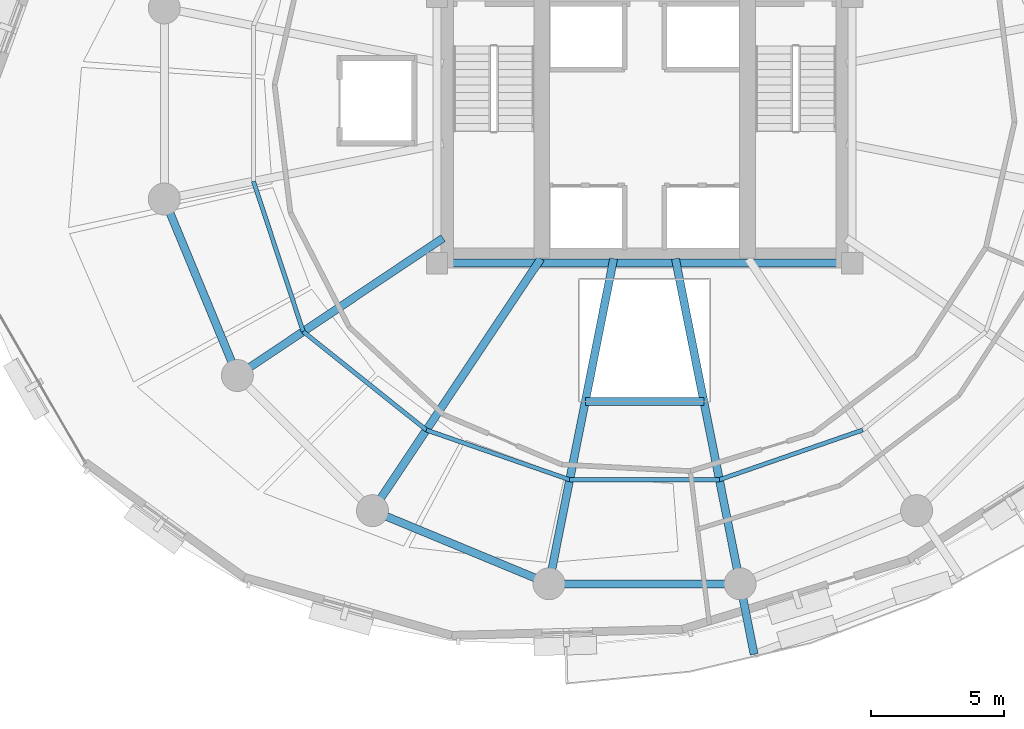
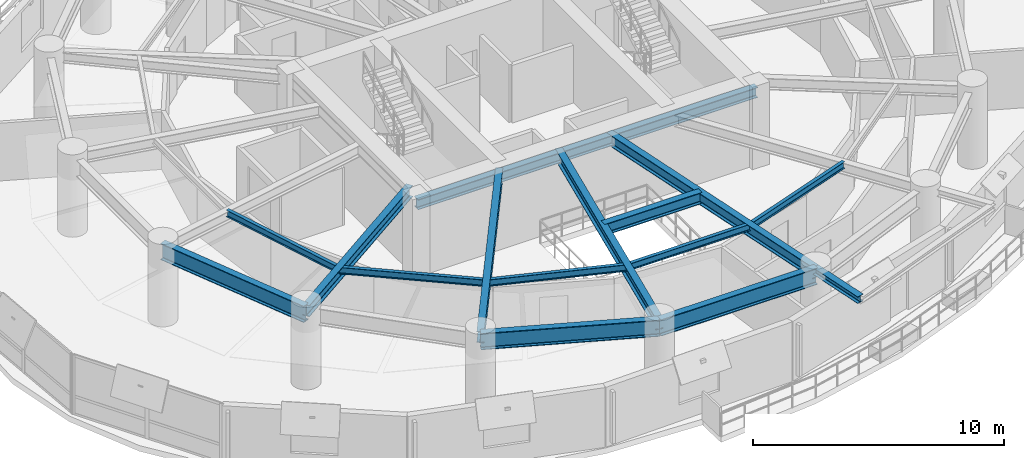
# One storey, part 3 of 15: 15 beams.
"""IFC4 building model written with IfcOpenShell, lengths in metres."""

from ifc_helpers import new_model, si_unit, direction, frame, origin, origin_2d, place, context, subcontext, project, spatial, i_section, extrude, material, material_profile, profile_set, type_object, element, save


model = new_model("IFC4")

# Units and contexts
model_context = context("Model", 3, precision=1e-05, world=origin(), true_north=direction((0.0, 1.0)))
body_context = subcontext(model_context, "Body", "Model", "MODEL_VIEW")
ifc_project = project(units=[si_unit("LENGTHUNIT", "METRE"), si_unit("AREAUNIT", "SQUARE_METRE"), si_unit("VOLUMEUNIT", "CUBIC_METRE"), si_unit("PLANEANGLEUNIT", "RADIAN"), si_unit("MASSUNIT", "GRAM", prefix="KILO"), si_unit("THERMODYNAMICTEMPERATUREUNIT", "KELVIN"), si_unit("POWERUNIT", "WATT")], contexts=[model_context])

# Site, building, storey
site_placement = place(None, origin())
site = spatial("IfcSite", under=ifc_project, at=site_placement, CompositionType="ELEMENT")
building_placement = place(site_placement, origin())
building = spatial("IfcBuilding", under=site, at=building_placement, Name="Ocrelia Relay Tower", CompositionType="ELEMENT")
storey_placement = place(building_placement, frame((0.0, 0.0, 105.800048828125)))
storey = spatial("IfcBuildingStorey", under=building, at=storey_placement, Name="L24", CompositionType="ELEMENT", Elevation=105.800048828125)

# Beams
ifc_material = material(Name="Steel S355", Category="steel")
ifc_material_profile_1 = material_profile(ifc_material, i_section(OverallWidth=0.300048828125, OverallDepth=0.330078125, WebThickness=0.009521484375, FlangeThickness=0.0166015625, FilletRadius=0.027099609375, at=origin_2d()), Name="HEA 340")
ifc_profile_set_1 = profile_set([ifc_material_profile_1], Name="Steel S355")
beam_type_1 = type_object("IfcBeamType", Name="BM-HEA340", PredefinedType="BEAM", material=ifc_profile_set_1)
beam_1_placement = place(storey_placement, frame((37.589599609375, 7.95361328125, 3.554931640625), z_axis=(0.195126269336, -0.980778129352, 0.0), x_axis=(0.980778129352, 0.195126269336, 0.0)))
element("IfcBeam", 1, at=beam_1_placement, inside=storey, type_object=beam_type_1, Name="L25 Balcony Cantilever Beam B2-1", PredefinedType="BEAM", context=body_context, shape_type="SweptSolid", body=[
    extrude(i_section(OverallWidth=0.300048828125, OverallDepth=0.330078125, WebThickness=0.009521484375, FlangeThickness=0.0166015625, FilletRadius=0.027099609375, at=origin_2d()), origin(), (0.0, 0.0, 1.0), 2.703857421875),
])
ifc_material_profile_2 = material_profile(ifc_material, i_section(OverallWidth=0.300048828125, OverallDepth=0.5, WebThickness=0.014404296875, FlangeThickness=0.028076171875, FilletRadius=0.027099609375, at=origin_2d()), Name="HEB 500")
ifc_profile_set_2 = profile_set([ifc_material_profile_2], Name="Steel S355")
beam_type_2 = type_object("IfcBeamType", Name="BM-HEB500", PredefinedType="BEAM", material=ifc_profile_set_2)
beam_2_placement = place(storey_placement, frame((26.199951171875, 20.0, 3.469970703125), z_axis=(1.0, 0.0, 0.0), x_axis=(0.0, 1.0, 0.0)))
element("IfcBeam", 2, at=beam_2_placement, inside=storey, type_object=beam_type_2, Name="L24 Core Pilaster Tie Beam S", PredefinedType="BEAM", context=body_context, shape_type="SweptSolid", body=[
    extrude(i_section(OverallWidth=0.300048828125, OverallDepth=0.5, WebThickness=0.014404296875, FlangeThickness=0.028076171875, FilletRadius=0.027099609375, at=origin_2d()), origin(), (0.0, 0.0, 1.0), 15.60009765625),
])
ifc_material_profile_3 = material_profile(ifc_material, i_section(OverallWidth=0.300048828125, OverallDepth=0.550048828125, WebThickness=0.014892578125, FlangeThickness=0.029052734375, FilletRadius=0.027099609375, at=origin_2d()), Name="HEB 550")
ifc_profile_set_3 = profile_set([ifc_material_profile_3], Name="Steel S355")
beam_type_3 = type_object("IfcBeamType", Name="BM-HEB550", PredefinedType="BEAM", material=ifc_profile_set_3)
beam_3_placement = place(storey_placement, frame((18.700927734375, 15.777587890625, 3.445068359375), z_axis=(0.831472030531, 0.555566613868, 0.0), x_axis=(-0.555566613868, 0.831472030531, 0.0)))
element("IfcBeam", 3, at=beam_3_placement, inside=storey, type_object=beam_type_3, Name="L24 Radial Floor Girder R10", PredefinedType="BEAM", context=body_context, shape_type="SweptSolid", body=[
    extrude(i_section(OverallWidth=0.300048828125, OverallDepth=0.550048828125, WebThickness=0.014892578125, FlangeThickness=0.029052734375, FilletRadius=0.027099609375, at=origin_2d()), origin(), (0.0, 0.0, 1.0), 9.295654296875),
])
beam_4_placement = place(storey_placement, frame((23.777587890625, 10.700927734375, 3.445068359375), z_axis=(0.555565661158, 0.831472667105, 0.0), x_axis=(-0.831472667105, 0.555565661158, 0.0)))
element("IfcBeam", 4, at=beam_4_placement, inside=storey, type_object=beam_type_3, Name="L24 Radial Floor Girder R11", PredefinedType="BEAM", context=body_context, shape_type="SweptSolid", body=[
    extrude(i_section(OverallWidth=0.300048828125, OverallDepth=0.550048828125, WebThickness=0.014892578125, FlangeThickness=0.029052734375, FilletRadius=0.027099609375, at=origin_2d()), origin(), (0.0, 0.0, 1.0), 11.38818359375),
])
for number, where, z_axis, x_axis, name in (
    (5, (30.410400390625, 7.95361328125, 3.445068359375), (0.195086983979, 0.980785944374, 0.0), (-0.980785944374, 0.195086983979, 0.0), "L24 Radial Floor Girder R12"),
    (6, (37.589599609375, 7.95361328125, 3.445068359375), (-0.195086983979, 0.980785944374, 0.0), (-0.980785944374, -0.195086983979, 0.0), "L24 Radial Floor Girder R13"),
):
    element("IfcBeam", number, at=place(storey_placement, frame(where, z_axis=z_axis, x_axis=x_axis)), inside=storey, type_object=beam_type_3, Name=name, PredefinedType="BEAM", context=body_context, shape_type="SweptSolid", body=[
        extrude(i_section(OverallWidth=0.300048828125, OverallDepth=0.550048828125, WebThickness=0.014892578125, FlangeThickness=0.029052734375, FilletRadius=0.027099609375, at=origin_2d()), origin(), (0.0, 0.0, 1.0), 12.45556640625),
    ])
beam_5_placement = place(storey_placement, frame((31.772216796875, 14.800048828125, 3.445068359375), z_axis=(1.0, 0.0, 0.0), x_axis=(0.0, 1.0, 0.0)))
element("IfcBeam", 7, at=beam_5_placement, inside=storey, type_object=beam_type_3, Name="L24 Atrium South Trimmer Beam", PredefinedType="BEAM", context=body_context, shape_type="SweptSolid", body=[
    extrude(i_section(OverallWidth=0.300048828125, OverallDepth=0.550048828125, WebThickness=0.014892578125, FlangeThickness=0.029052734375, FilletRadius=0.027099609375, at=origin_2d()), origin(), (0.0, 0.0, 1.0), 4.45556640625),
])
ifc_material_profile_4 = material_profile(ifc_material, i_section(OverallWidth=0.300048828125, OverallDepth=0.800048828125, WebThickness=0.017578125, FlangeThickness=0.032958984375, FilletRadius=0.030029296875, at=origin_2d()), Name="HEB 800")
ifc_profile_set_4 = profile_set([ifc_material_profile_4], Name="Steel S355")
beam_type_4 = type_object("IfcBeamType", Name="BM-HEB800", PredefinedType="BEAM", material=ifc_profile_set_4)
for number, where, z_axis, x_axis, name in (
    (8, (15.95361328125, 22.410400390625, 3.320068359375), (0.382673155247, -0.923883789366, 0.0), (0.923883789366, 0.382673155247, 0.0), "L24 Perimeter Spandrel Beam S09"),
    (9, (23.777587890625, 10.700927734375, 3.320068359375), (0.923883789366, -0.382673155247, 0.0), (0.382673155247, 0.923883789366, 0.0), "L24 Perimeter Spandrel Beam S11"),
    (10, (30.410400390625, 7.95361328125, 3.320068359375), (1.0, 0.0, 0.0), (0.0, 1.0, 0.0), "L24 Perimeter Spandrel Beam S12"),
):
    element("IfcBeam", number, at=place(storey_placement, frame(where, z_axis=z_axis, x_axis=x_axis)), inside=storey, type_object=beam_type_4, Name=name, PredefinedType="BEAM", context=body_context, shape_type="SweptSolid", body=[
        extrude(i_section(OverallWidth=0.300048828125, OverallDepth=0.800048828125, WebThickness=0.017578125, FlangeThickness=0.032958984375, FilletRadius=0.030029296875, at=origin_2d()), origin(), (0.0, 0.0, 1.0), 7.17919921875),
    ])
ifc_material_profile_5 = material_profile(ifc_material, i_section(OverallWidth=0.159912109375, OverallDepth=0.330078125, WebThickness=0.007568359375, FlangeThickness=0.011474609375, FilletRadius=0.01806640625, at=origin_2d()), Name="IPE 330")
ifc_profile_set_5 = profile_set([ifc_material_profile_5], Name="Steel S355")
beam_type_5 = type_object("IfcBeamType", Name="BM-IPE330", PredefinedType="JOIST", material=ifc_profile_set_5)
beam_6_placement = place(storey_placement, frame((19.305908203125, 23.0771484375, 3.554931640625), z_axis=(0.314121352003, -0.949382839647, 0.0), x_axis=(0.949382839647, 0.314121352003, 0.0)))
element("IfcBeam", 11, at=beam_6_placement, inside=storey, type_object=beam_type_5, Name="L24 Secondary Floor Joist J09", PredefinedType="JOIST", context=body_context, shape_type="SweptSolid", body=[
    extrude(i_section(OverallWidth=0.159912109375, OverallDepth=0.330078125, WebThickness=0.007568359375, FlangeThickness=0.011474609375, FilletRadius=0.01806640625, at=origin_2d()), origin(), (0.0, 0.0, 1.0), 5.947998046875),
])
beam_7_placement = place(storey_placement, frame((21.17431640625, 17.43017578125, 3.554931640625), z_axis=(0.781130070991, -0.62436833055, 0.0), x_axis=(0.62436833055, 0.781130070991, 0.0)))
element("IfcBeam", 12, at=beam_7_placement, inside=storey, type_object=beam_type_5, Name="L24 Secondary Floor Joist J10", PredefinedType="JOIST", context=body_context, shape_type="SweptSolid", body=[
    extrude(i_section(OverallWidth=0.159912109375, OverallDepth=0.330078125, WebThickness=0.007568359375, FlangeThickness=0.011474609375, FilletRadius=0.01806640625, at=origin_2d()), origin(), (0.0, 0.0, 1.0), 5.92431640625),
])
beam_8_placement = place(storey_placement, frame((25.802001953125, 13.731201171875, 3.554931640625), z_axis=(0.944767437111, -0.327741498401, 0.0), x_axis=(0.327741498401, 0.944767437111, 0.0)))
element("IfcBeam", 13, at=beam_8_placement, inside=storey, type_object=beam_type_5, Name="L24 Secondary Floor Joist J11", PredefinedType="JOIST", context=body_context, shape_type="SweptSolid", body=[
    extrude(i_section(OverallWidth=0.159912109375, OverallDepth=0.330078125, WebThickness=0.007568359375, FlangeThickness=0.011474609375, FilletRadius=0.01806640625, at=origin_2d()), origin(), (0.0, 0.0, 1.0), 5.700927734375),
])
beam_9_placement = place(storey_placement, frame((31.18798828125, 11.86279296875, 3.554931640625), z_axis=(1.0, 0.0, 0.0), x_axis=(0.0, 1.0, 0.0)))
element("IfcBeam", 14, at=beam_9_placement, inside=storey, type_object=beam_type_5, Name="L24 Secondary Floor Joist J12", PredefinedType="JOIST", context=body_context, shape_type="SweptSolid", body=[
    extrude(i_section(OverallWidth=0.159912109375, OverallDepth=0.330078125, WebThickness=0.007568359375, FlangeThickness=0.011474609375, FilletRadius=0.01806640625, at=origin_2d()), origin(), (0.0, 0.0, 1.0), 5.6240234375),
])
beam_10_placement = place(storey_placement, frame((36.81201171875, 11.86279296875, 3.554931640625), z_axis=(0.944767437111, 0.327741498401, 0.0), x_axis=(-0.327741498401, 0.944767437111, 0.0)))
element("IfcBeam", 15, at=beam_10_placement, inside=storey, type_object=beam_type_5, Name="L24 Secondary Floor Joist J13", PredefinedType="JOIST", context=body_context, shape_type="SweptSolid", body=[
    extrude(i_section(OverallWidth=0.159912109375, OverallDepth=0.330078125, WebThickness=0.007568359375, FlangeThickness=0.011474609375, FilletRadius=0.01806640625, at=origin_2d()), origin(), (0.0, 0.0, 1.0), 5.700927734375),
])

save(model, "model.ifc")
